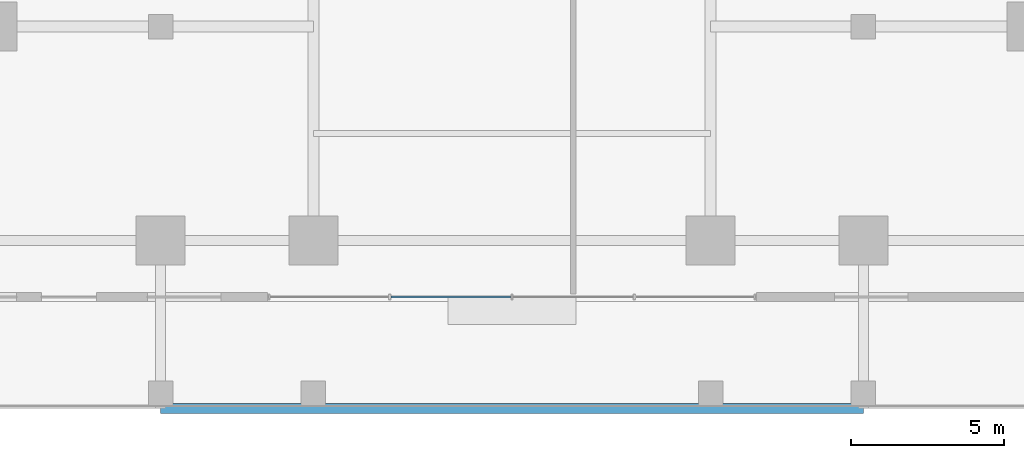
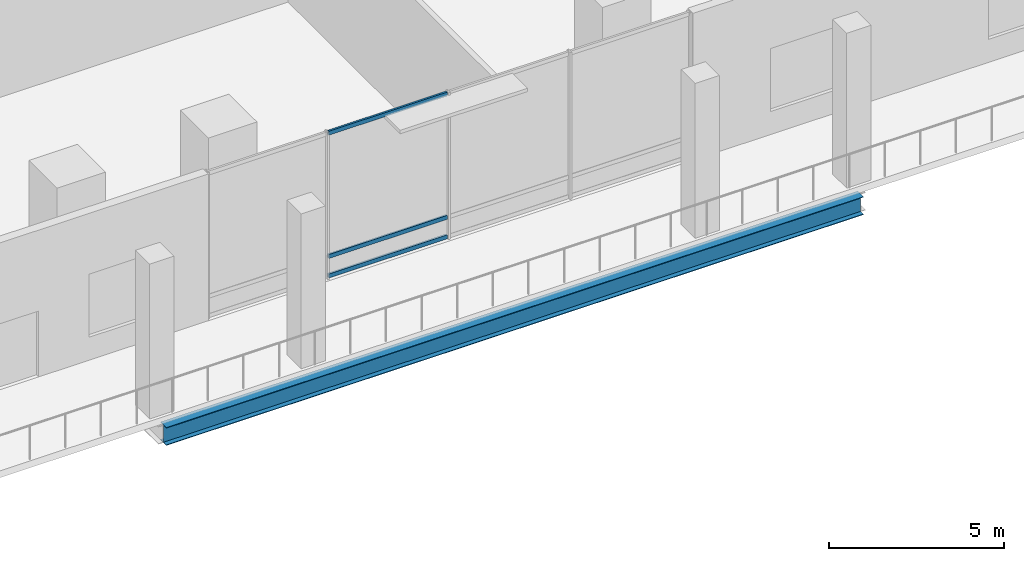
# One storey, part 6 of 36: 3 members, 1 beam, 1 element without a shape of its own.
"""IFC4 building model written with IfcOpenShell, lengths in metres."""

from ifc_helpers import new_model, si_unit, direction, frame, origin, origin_2d, place, context, subcontext, project, spatial, hollow_rectangle, i_section, extrude, material, layer, layer_set, material_profile, profile_set, type_object, element, aggregate, save


model = new_model("IFC4")

# Units and contexts
model_context = context("Model", 3, precision=1e-05, world=origin(), true_north=direction((0.0, 1.0)))
body_context = subcontext(model_context, "Body", "Model", "MODEL_VIEW")
ifc_project = project(units=[si_unit("LENGTHUNIT", "METRE"), si_unit("AREAUNIT", "SQUARE_METRE"), si_unit("VOLUMEUNIT", "CUBIC_METRE"), si_unit("PLANEANGLEUNIT", "RADIAN"), si_unit("MASSUNIT", "GRAM", prefix="KILO")], contexts=[model_context])

# Site, building, storey
site_placement = place(None, origin())
site = spatial("IfcSite", under=ifc_project, at=site_placement, CompositionType="ELEMENT")
building_placement = place(site_placement, origin())
building = spatial("IfcBuilding", under=site, at=building_placement, Name="Barlavira Tower and Art Museum", CompositionType="ELEMENT")
storey_placement = place(building_placement, frame((0.0, 0.0, 11.39990234375)))
storey = spatial("IfcBuildingStorey", under=building, at=storey_placement, Name="L02", CompositionType="ELEMENT", Elevation=11.39990234375)

# Curtain wall, members
ifc_material_1 = material(Name="Low-iron coastal laminated glass", Category="glass")
ifc_layer = layer(ifc_material_1, 0.179931640625, Name="Low-iron coastal laminated glass")
ifc_layer_set = layer_set([ifc_layer], Name="Low-iron coastal laminated glass")
curtain_wall_type = type_object("IfcCurtainWallType", Name="Pale-Metal Unitised Curtain Wall Zone 1", PredefinedType="NOTDEFINED", material=ifc_layer_set)
curtain_wall_placement = place(storey_placement, origin())
curtain_wall = element("IfcCurtainWall", 1, at=curtain_wall_placement, inside=storey, type_object=curtain_wall_type, Name="L02 Curtain Wall CW1-L02-S", PredefinedType="NOTDEFINED")
ifc_material_2 = material(Name="Pale anodised aluminium", Category="aluminium")
ifc_material_profile_1 = material_profile(ifc_material_2, hollow_rectangle(XDim=0.06494140625, YDim=0.139892578125, WallThickness=0.00390625, at=origin_2d()), Name="ALU-TRAN 65x140x4")
ifc_profile_set_1 = profile_set([ifc_material_profile_1], Name="Pale anodised aluminium")
member_type = type_object("IfcMemberType", Name="Curtain Wall Pale-Metal Transom 65x140", PredefinedType="USERDEFINED", material=ifc_profile_set_1)
member_1_placement = place(storey_placement, frame((-3.955078125, -21.85009765625, 0.070068359375), z_axis=(1.0, 0.0, 0.0), x_axis=(0.0, 1.0, 0.0)))
member_1 = element("IfcMember", 2, at=member_1_placement, type_object=member_type, Name="CW1-L02-S Transom 1.1", ObjectType="TRANSOM", PredefinedType="USERDEFINED", context=body_context, shape_type="SweptSolid", body=[
    extrude(hollow_rectangle(XDim=0.06494140625, YDim=0.139892578125, WallThickness=0.00390625, at=origin_2d()), origin(), (0.0, 0.0, 1.0), 3.91015625),
])
member_2_placement = place(storey_placement, frame((-3.955078125, -21.85009765625, 0.75), z_axis=(1.0, 0.0, 0.0), x_axis=(0.0, 1.0, 0.0)))
member_2 = element("IfcMember", 3, at=member_2_placement, type_object=member_type, Name="CW1-L02-S Transom 1.2", ObjectType="TRANSOM", PredefinedType="USERDEFINED", context=body_context, shape_type="SweptSolid", body=[
    extrude(hollow_rectangle(XDim=0.06494140625, YDim=0.139892578125, WallThickness=0.00390625, at=origin_2d()), origin(), (0.0, 0.0, 1.0), 3.91015625),
])
member_3_placement = place(storey_placement, frame((-3.955078125, -21.85009765625, 5.050048828125), z_axis=(1.0, 0.0, 0.0), x_axis=(0.0, 1.0, 0.0)))
member_3 = element("IfcMember", 4, at=member_3_placement, type_object=member_type, Name="CW1-L02-S Transom 1.3", ObjectType="TRANSOM", PredefinedType="USERDEFINED", context=body_context, shape_type="SweptSolid", body=[
    extrude(hollow_rectangle(XDim=0.06494140625, YDim=0.139892578125, WallThickness=0.00390625, at=origin_2d()), origin(), (0.0, 0.0, 1.0), 3.91015625),
])
aggregate(curtain_wall, [member_1, member_2, member_3])

# Beam
ifc_material_3 = material(Name="Steel S355", Category="steel")
ifc_material_profile_2 = material_profile(ifc_material_3, i_section(OverallWidth=0.327880859375, OverallDepth=0.62890625, WebThickness=0.013916015625, FlangeThickness=0.021484375, at=origin_2d()), Name="W610x174.0")
ifc_profile_set_2 = profile_set([ifc_material_profile_2], Name="Steel S355")
beam_type = type_object("IfcBeamType", Name="Perimeter Spandrel Edge Beam W610x174 Steel S355", PredefinedType="SPANDREL", material=ifc_profile_set_2)
beam_placement = place(storey_placement, frame((-11.5, -25.5, -0.594482421875), z_axis=(1.0, 0.0, 0.0), x_axis=(0.0, 1.0, 0.0)))
element("IfcBeam", 5, at=beam_placement, inside=storey, type_object=beam_type, Name="L02 South Cascade Edge Spandrel", PredefinedType="SPANDREL", context=body_context, shape_type="SweptSolid", body=[
    extrude(i_section(OverallWidth=0.327880859375, OverallDepth=0.62890625, WebThickness=0.013916015625, FlangeThickness=0.021484375, at=origin_2d()), origin(), (0.0, 0.0, 1.0), 23.0),
])

save(model, "model.ifc")
